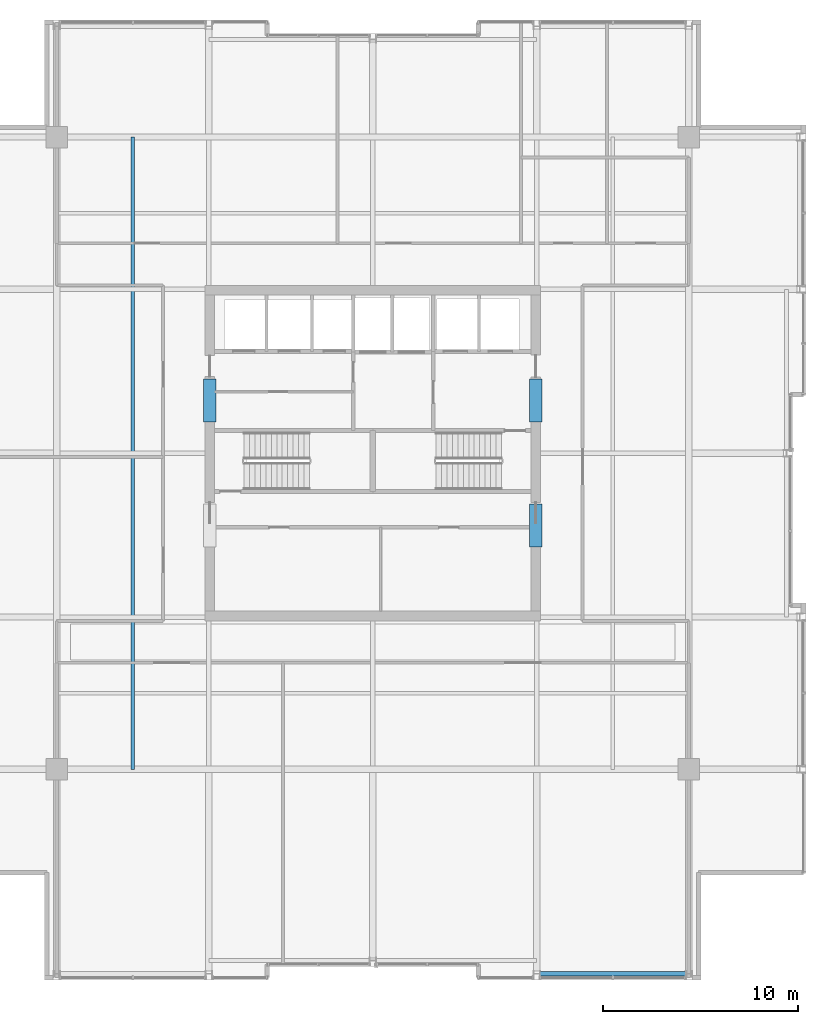
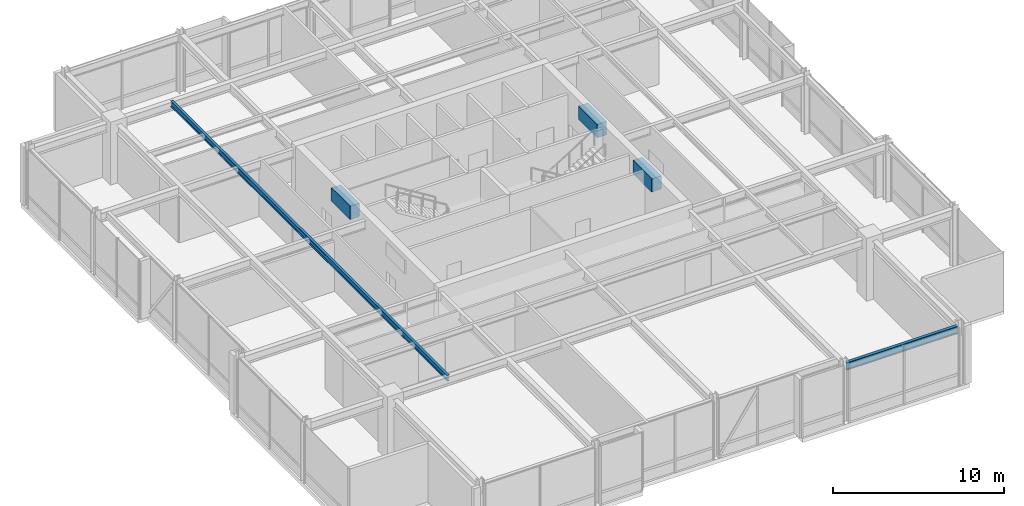
# One storey, part 12 of 32: 5 beams.
"""IFC4 building model written with IfcOpenShell, lengths in metres."""

from ifc_helpers import new_model, si_unit, direction, frame, origin, origin_2d, place, context, subcontext, project, spatial, rectangle, i_section, extrude, material, material_profile, profile_set, type_object, element, save


model = new_model("IFC4")

# Units and contexts
model_context = context("Model", 3, precision=1e-05, world=origin(), true_north=direction((0.0, 1.0)))
body_context = subcontext(model_context, "Body", "Model", "MODEL_VIEW")
ifc_project = project(units=[si_unit("LENGTHUNIT", "METRE"), si_unit("AREAUNIT", "SQUARE_METRE"), si_unit("VOLUMEUNIT", "CUBIC_METRE"), si_unit("PLANEANGLEUNIT", "RADIAN"), si_unit("MASSUNIT", "GRAM", prefix="KILO")], contexts=[model_context])

# Site, building, storey
site_placement = place(None, origin())
site = spatial("IfcSite", under=ifc_project, at=site_placement, CompositionType="ELEMENT")
building_placement = place(site_placement, origin())
building = spatial("IfcBuilding", under=site, at=building_placement, Name="Drelvath Grand Hotel", CompositionType="ELEMENT")
storey_placement = place(building_placement, frame((0.0, 0.0, 255.5)))
storey = spatial("IfcBuildingStorey", under=building, at=storey_placement, Name="L67", CompositionType="ELEMENT", Elevation=255.5)

# Beams
ifc_material_1 = material(Name="Steel ASTM A992 Gr 50", Category="steel")
ifc_material_profile_1 = material_profile(ifc_material_1, i_section(OverallWidth=0.177734375, OverallDepth=0.40673828125, WebThickness=0.0078125, FlangeThickness=0.0126953125, FilletRadius=0.014892578125, at=origin_2d()), Name="W16X40")
ifc_profile_set_1 = profile_set([ifc_material_profile_1], Name="Steel ASTM A992 Gr 50")
beam_type_1 = type_object("IfcBeamType", Name="Composite Floor Joist W16X40", PredefinedType="JOIST", material=ifc_profile_set_1)
beam_1_placement = place(storey_placement, frame((-12.300048828125, 10.800048828125, 3.976806640625), z_axis=(0.0, 1.0, 0.0), x_axis=(-1.0, 0.0, 0.0)))
element("IfcBeam", 1, at=beam_1_placement, inside=storey, type_object=beam_type_1, Name="L67 Wing Floor Joist J3", PredefinedType="JOIST", context=body_context, shape_type="SweptSolid", body=[
    extrude(i_section(OverallWidth=0.177734375, OverallDepth=0.40673828125, WebThickness=0.0078125, FlangeThickness=0.0126953125, FilletRadius=0.014892578125, at=origin_2d()), origin(), (0.0, 0.0, 1.0), 32.39990234375),
])
ifc_material_2 = material(Name="Concrete f'c 55 MPa", Category="concrete")
ifc_material_profile_2 = material_profile(ifc_material_2, rectangle(XDim=0.64990234375, YDim=0.949951171875, at=origin_2d()), Name="CB650X950")
ifc_profile_set_2 = profile_set([ifc_material_profile_2], Name="Concrete f'c 55 MPa")
beam_type_2 = type_object("IfcBeamType", Name="Core Coupling Lintel CB650X950", PredefinedType="LINTEL", material=ifc_profile_set_2)
for number, where, z_axis, x_axis, name in (
    (2, (-8.35009765625, 28.60009765625, 3.705078125), (0.0, 1.0, 0.0), (-1.0, 0.0, 0.0), "L67 Core Coupling Lintel WN"),
    (3, (8.35009765625, 22.199951171875, 3.705078125), (0.0, 1.0, 0.0), (-1.0, 0.0, 0.0), "L67 Core Coupling Lintel ES"),
    (4, (8.35009765625, 28.60009765625, 3.705078125), (0.0, 1.0, 0.0), (-1.0, 0.0, 0.0), "L67 Core Coupling Lintel EN"),
):
    element("IfcBeam", number, at=place(storey_placement, frame(where, z_axis=z_axis, x_axis=x_axis)), inside=storey, type_object=beam_type_2, Name=name, PredefinedType="LINTEL", context=body_context, shape_type="SweptSolid", body=[
        extrude(rectangle(XDim=0.64990234375, YDim=0.949951171875, at=origin_2d()), origin(), (0.0, 0.0, 1.0), 2.199951171875),
    ])
ifc_material_profile_3 = material_profile(ifc_material_1, i_section(OverallWidth=0.210205078125, OverallDepth=0.53662109375, WebThickness=0.010986328125, FlangeThickness=0.017333984375, FilletRadius=0.01806640625, at=origin_2d()), Name="W21X68")
ifc_profile_set_3 = profile_set([ifc_material_profile_3], Name="Steel ASTM A992 Gr 50")
beam_type_3 = type_object("IfcBeamType", Name="Perimeter Spandrel Beam W21X68", PredefinedType="SPANDREL", material=ifc_profile_set_3)
beam_2_placement = place(storey_placement, frame((8.5400390625, 0.320068359375, 3.91162109375), z_axis=(1.0, 0.0, 0.0), x_axis=(0.0, 1.0, 0.0)))
element("IfcBeam", 5, at=beam_2_placement, inside=storey, type_object=beam_type_3, Name="L67 Spandrel South E", PredefinedType="SPANDREL", context=body_context, shape_type="SweptSolid", body=[
    extrude(i_section(OverallWidth=0.210205078125, OverallDepth=0.53662109375, WebThickness=0.010986328125, FlangeThickness=0.017333984375, FilletRadius=0.01806640625, at=origin_2d()), origin(), (0.0, 0.0, 1.0), 7.52001953125),
])

save(model, "model.ifc")
